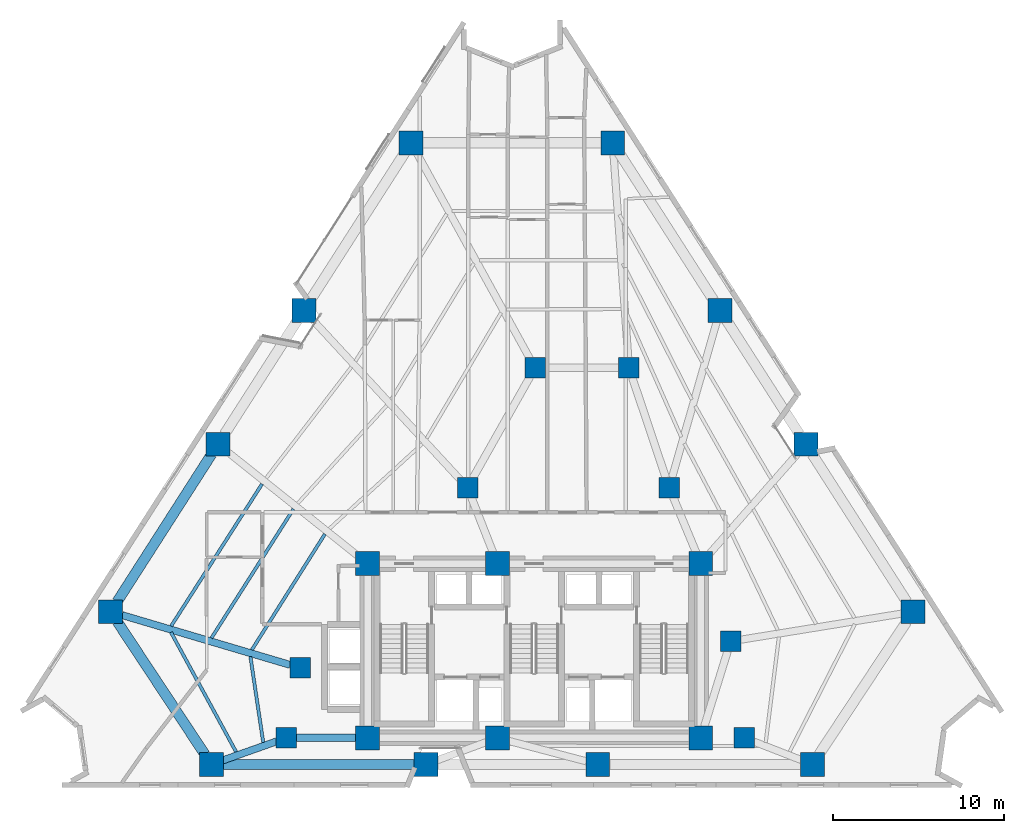
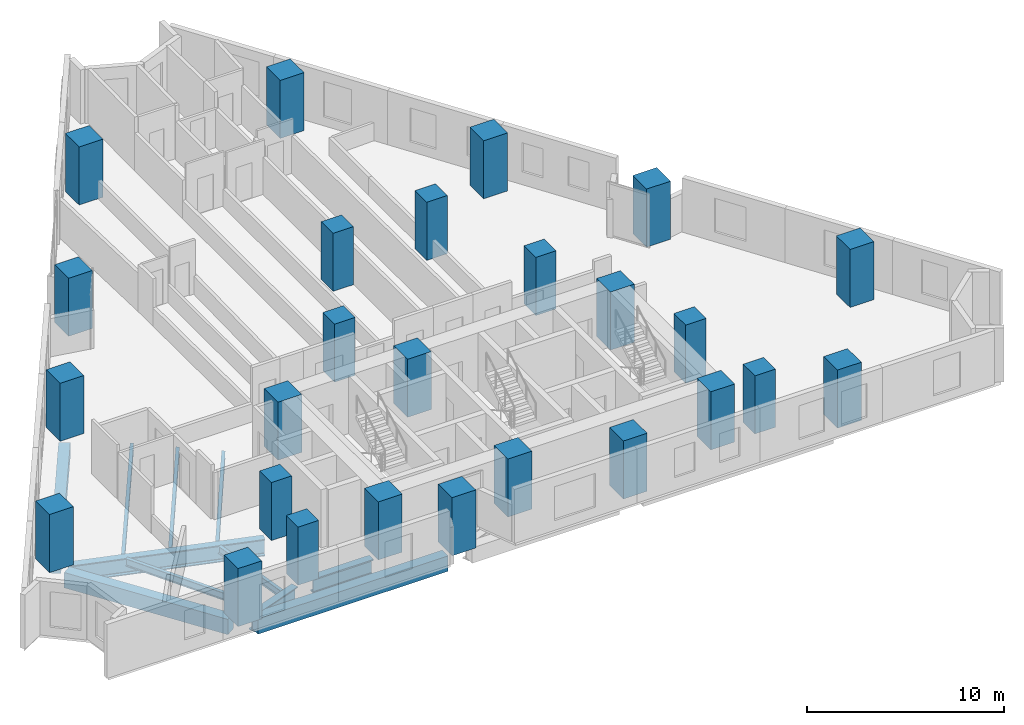
# One storey, part 1 of 13: 26 columns, 11 beams.
"""IFC4 building model written with IfcOpenShell, lengths in metres."""

from ifc_helpers import new_model, si_unit, direction, frame, origin, origin_2d, place, context, subcontext, project, spatial, rectangle, i_section, extrude, material, material_profile, profile_set, type_object, element, save


model = new_model("IFC4")

# Units and contexts
model_context = context("Model", 3, precision=1e-05, world=origin(), true_north=direction((0.0, 1.0)))
body_context = subcontext(model_context, "Body", "Model", "MODEL_VIEW")
ifc_project = project(units=[si_unit("LENGTHUNIT", "METRE"), si_unit("AREAUNIT", "SQUARE_METRE"), si_unit("VOLUMEUNIT", "CUBIC_METRE"), si_unit("PLANEANGLEUNIT", "RADIAN"), si_unit("MASSUNIT", "GRAM", prefix="KILO")], contexts=[model_context])

# Site, building, storey
site_placement = place(None, origin())
site = spatial("IfcSite", under=ifc_project, at=site_placement, CompositionType="ELEMENT")
building_placement = place(site_placement, origin())
building = spatial("IfcBuilding", under=site, at=building_placement, Name="Almagre Mirador Tower", CompositionType="ELEMENT")
storey_placement = place(building_placement, frame((0.0, 0.0, 49.800048828125)))
storey = spatial("IfcBuildingStorey", under=building, at=storey_placement, Name="L11", CompositionType="ELEMENT", Elevation=49.800048828125)

# Columns
ifc_material_1 = material(Name="Concrete C60/75", Category="concrete")
ifc_material_profile_1 = material_profile(ifc_material_1, rectangle(XDim=1.199951171875, YDim=1.199951171875, at=origin_2d()), Name="RC1200X1200")
ifc_profile_set_1 = profile_set([ifc_material_profile_1], Name="Concrete C60/75")
column_type_1 = type_object("IfcColumnType", Name="COL-RC1200", PredefinedType="COLUMN", material=ifc_profile_set_1)
for number, where, z_axis, x_axis, name in (
    (1, (22.800048828125, 4.550048828125, 0.0), (0.0, 0.0, 1.0), (1.0, 0.0, 0.0), "L11 interior transfer column MC1"),
    (2, (49.60009765625, 4.550048828125, 0.0), (0.0, 0.0, 1.0), (1.0, 0.0, 0.0), "L11 interior transfer column MC2"),
    (3, (48.800048828125, 10.199951171875, 0.0), (0.0, 0.0, 1.0), (1.0, 0.0, 0.0), "L11 interior transfer column MC3"),
    (4, (45.199951171875, 19.199951171875, 0.0), (0.0, 0.0, 1.0), (1.0, 0.0, 0.0), "L11 interior transfer column MC5"),
    (5, (42.85009765625, 26.199951171875, 0.0), (0.0, 0.0, 1.0), (1.0, 0.0, 0.0), "L11 interior transfer column MC6"),
    (6, (37.35009765625, 26.199951171875, 0.0), (0.0, 0.0, 1.0), (1.0, 0.0, 0.0), "L11 interior transfer column MC7"),
    (7, (33.39990234375, 19.199951171875, 0.0), (0.0, 0.0, 1.0), (1.0, 0.0, 0.0), "L11 interior transfer column MC8"),
    (8, (23.60009765625, 8.64990234375, 0.0), (0.0, 0.0, 1.0), (1.0, 0.0, 0.0), "L11 interior transfer column MC10"),
):
    element("IfcColumn", number, at=place(storey_placement, frame(where, z_axis=z_axis, x_axis=x_axis)), inside=storey, type_object=column_type_1, Name=name, PredefinedType="COLUMN", context=body_context, shape_type="SweptSolid", body=[
        extrude(rectangle(XDim=1.199951171875, YDim=1.199951171875, at=origin_2d()), origin(), (0.0, 0.0, 1.0), 3.599853515625),
    ])
ifc_material_2 = material(Name="Concrete C60/75", Category="concrete")
ifc_material_profile_2 = material_profile(ifc_material_2, rectangle(XDim=1.39990234375, YDim=1.39990234375, at=origin_2d()), Name="RC1400X1400")
ifc_profile_set_2 = profile_set([ifc_material_profile_2], Name="Concrete C60/75")
column_type_2 = type_object("IfcColumnType", Name="COL-RC1400", PredefinedType="COLUMN", material=ifc_profile_set_2)
for number, where, z_axis, x_axis, name in (
    (9, (27.550048828125, 4.550048828125, 0.0), (0.0, 0.0, 1.0), (1.0, 0.0, 0.0), "L11 core spine column CC1"),
    (10, (35.14990234375, 4.550048828125, 0.0), (0.0, 0.0, 1.0), (1.0, 0.0, 0.0), "L11 core spine column CC2"),
    (11, (47.050048828125, 4.550048828125, 0.0), (0.0, 0.0, 1.0), (1.0, 0.0, 0.0), "L11 core spine column CC3"),
    (12, (27.550048828125, 14.75, 0.0), (0.0, 0.0, 1.0), (1.0, 0.0, 0.0), "L11 core spine column CC4"),
    (13, (35.14990234375, 14.75, 0.0), (0.0, 0.0, 1.0), (1.0, 0.0, 0.0), "L11 core spine column CC5"),
    (14, (47.050048828125, 14.75, 0.0), (0.0, 0.0, 1.0), (1.0, 0.0, 0.0), "L11 core spine column CC6"),
    (15, (18.416015625, 3.0, 0.0), (0.0, 0.0, 1.0), (1.0, 0.0, 0.0), "L11 perimeter column PC01"),
    (16, (30.97607421875, 3.0, 0.0), (0.0, 0.0, 1.0), (1.0, 0.0, 0.0), "L11 perimeter column PC02"),
    (17, (41.02392578125, 3.0, 0.0), (0.0, 0.0, 1.0), (1.0, 0.0, 0.0), "L11 perimeter column PC03"),
    (18, (53.583984375, 3.0, 0.0), (0.0, 0.0, 1.0), (1.0, 0.0, 0.0), "L11 perimeter column PC04"),
    (19, (59.48193359375, 11.93310546875, 0.0), (0.0, 0.0, 1.0), (1.0, 0.0, 0.0), "L11 perimeter column PC05"),
    (20, (53.201904296875, 21.73291015625, 0.0), (0.0, 0.0, 1.0), (1.0, 0.0, 0.0), "L11 perimeter column PC06"),
    (21, (48.177978515625, 29.572998046875, 0.0), (0.0, 0.0, 1.0), (1.0, 0.0, 0.0), "L11 perimeter column PC07"),
    (22, (41.89794921875, 39.373046875, 0.0), (0.0, 0.0, 1.0), (1.0, 0.0, 0.0), "L11 perimeter column PC08"),
    (23, (30.10205078125, 39.373046875, 0.0), (0.0, 0.0, 1.0), (1.0, 0.0, 0.0), "L11 perimeter column PC09"),
    (24, (23.822021484375, 29.572998046875, 0.0), (0.0, 0.0, 1.0), (1.0, 0.0, 0.0), "L11 perimeter column PC10"),
    (25, (18.798095703125, 21.73291015625, 0.0), (0.0, 0.0, 1.0), (1.0, 0.0, 0.0), "L11 perimeter column PC11"),
    (26, (12.51806640625, 11.93310546875, 0.0), (0.0, 0.0, 1.0), (1.0, 0.0, 0.0), "L11 perimeter column PC12"),
):
    element("IfcColumn", number, at=place(storey_placement, frame(where, z_axis=z_axis, x_axis=x_axis)), inside=storey, type_object=column_type_2, Name=name, PredefinedType="COLUMN", context=body_context, shape_type="SweptSolid", body=[
        extrude(rectangle(XDim=1.39990234375, YDim=1.39990234375, at=origin_2d()), origin(), (0.0, 0.0, 1.0), 3.599853515625),
    ])

# Beams
ifc_material_3 = material(Name="Steel ASTM A992 Grade 50", Category="steel")
ifc_material_profile_3 = material_profile(ifc_material_3, i_section(OverallWidth=0.19091796875, OverallDepth=0.4599609375, WebThickness=0.010009765625, FlangeThickness=0.01611328125, FilletRadius=0.01611328125, at=origin_2d()), Name="W18X55")
ifc_profile_set_3 = profile_set([ifc_material_profile_3], Name="Steel ASTM A992 Grade 50")
beam_type_1 = type_object("IfcBeamType", Name="BM-JST-W18X55", PredefinedType="JOIST", material=ifc_profile_set_3)
beam_1_placement = place(storey_placement, frame((21.37646484375, 19.4091796875, -0.47998046875), z_axis=(-0.538986317029, -0.842314519675, 0.0), x_axis=(0.842314519675, -0.538986317029, 0.0)))
element("IfcBeam", 27, at=beam_1_placement, inside=storey, type_object=beam_type_1, Name="L11 secondary floor joist PC11-PC12.1", PredefinedType="JOIST", context=body_context, shape_type="SweptSolid", body=[
    extrude(i_section(OverallWidth=0.19091796875, OverallDepth=0.4599609375, WebThickness=0.010009765625, FlangeThickness=0.01611328125, FilletRadius=0.01611328125, at=origin_2d()), origin(), (0.0, 0.0, 1.0), 9.870849609375),
])
beam_2_placement = place(storey_placement, frame((23.214599609375, 17.9423828125, -0.47998046875), z_axis=(-0.536571630026, -0.843854777702, 0.0), x_axis=(0.843854777702, -0.536571630026, 0.0)))
element("IfcBeam", 28, at=beam_2_placement, inside=storey, type_object=beam_type_1, Name="L11 secondary floor joist PC11-PC12.2", PredefinedType="JOIST", context=body_context, shape_type="SweptSolid", body=[
    extrude(i_section(OverallWidth=0.19091796875, OverallDepth=0.4599609375, WebThickness=0.010009765625, FlangeThickness=0.01611328125, FilletRadius=0.01611328125, at=origin_2d()), origin(), (0.0, 0.0, 1.0), 8.943115234375),
])
beam_3_placement = place(storey_placement, frame((25.05322265625, 16.475830078125, -0.47998046875), z_axis=(-0.533635401408, -0.845714643579, 0.0), x_axis=(0.845714643579, -0.533635401408, 0.0)))
element("IfcBeam", 29, at=beam_3_placement, inside=storey, type_object=beam_type_1, Name="L11 secondary floor joist PC11-PC12.3", PredefinedType="JOIST", context=body_context, shape_type="SweptSolid", body=[
    extrude(i_section(OverallWidth=0.19091796875, OverallDepth=0.4599609375, WebThickness=0.010009765625, FlangeThickness=0.01611328125, FilletRadius=0.01611328125, at=origin_2d()), origin(), (0.0, 0.0, 1.0), 8.015380859375),
])
beam_4_placement = place(storey_placement, frame((16.04345703125, 10.734375, -0.47998046875), z_axis=(0.478472525454, -0.878102523846, 0.0), x_axis=(0.878102523846, 0.478472525454, 0.0)))
element("IfcBeam", 30, at=beam_4_placement, inside=storey, type_object=beam_type_1, Name="L11 secondary floor joist PC12-PC01.1", PredefinedType="JOIST", context=body_context, shape_type="SweptSolid", body=[
    extrude(i_section(OverallWidth=0.19091796875, OverallDepth=0.4599609375, WebThickness=0.010009765625, FlangeThickness=0.01611328125, FilletRadius=0.01611328125, at=origin_2d()), origin(), (0.0, 0.0, 1.0), 7.976806640625),
])
beam_5_placement = place(storey_placement, frame((20.695068359375, 9.3125, -0.47998046875), z_axis=(0.147717518236, -0.989029592483, 0.0), x_axis=(0.989029592483, 0.147717518236, 0.0)))
element("IfcBeam", 31, at=beam_5_placement, inside=storey, type_object=beam_type_1, Name="L11 secondary floor joist PC12-PC01.3", PredefinedType="JOIST", context=body_context, shape_type="SweptSolid", body=[
    extrude(i_section(OverallWidth=0.19091796875, OverallDepth=0.4599609375, WebThickness=0.010009765625, FlangeThickness=0.01611328125, FilletRadius=0.01611328125, at=origin_2d()), origin(), (0.0, 0.0, 1.0), 5.078857421875),
])
ifc_material_4 = material(Name="Precast concrete C50/60", Category="concrete")
ifc_material_profile_4 = material_profile(ifc_material_4, rectangle(XDim=0.60009765625, YDim=0.949951171875, at=origin_2d()), Name="RC600X950")
ifc_profile_set_4 = profile_set([ifc_material_profile_4], Name="Precast concrete C50/60")
beam_type_2 = type_object("IfcBeamType", Name="BM-SPN-RC600X950", PredefinedType="SPANDREL", material=ifc_profile_set_4)
beam_6_placement = place(storey_placement, frame((19.115966796875, 3.0, -0.72509765625), z_axis=(1.0, 0.0, 0.0), x_axis=(0.0, 1.0, 0.0)))
element("IfcBeam", 32, at=beam_6_placement, inside=storey, type_object=beam_type_2, Name="L11 perimeter spandrel beam PC01-PC02", PredefinedType="SPANDREL", context=body_context, shape_type="SweptSolid", body=[
    extrude(rectangle(XDim=0.60009765625, YDim=0.949951171875, at=origin_2d()), origin(), (0.0, 0.0, 1.0), 11.159912109375),
])
beam_7_placement = place(storey_placement, frame((18.42041015625, 21.1435546875, -0.72509765625), z_axis=(-0.539549548581, -0.841953849463, 0.0), x_axis=(0.841953849463, -0.539549548581, 0.0)))
element("IfcBeam", 33, at=beam_7_placement, inside=storey, type_object=beam_type_2, Name="L11 perimeter spandrel beam PC11-PC12", PredefinedType="SPANDREL", context=body_context, shape_type="SweptSolid", body=[
    extrude(rectangle(XDim=0.60009765625, YDim=0.949951171875, at=origin_2d()), origin(), (0.0, 0.0, 1.0), 10.239501953125),
])
beam_8_placement = place(storey_placement, frame((12.90380859375, 11.348876953125, -0.72509765625), z_axis=(0.550976725149, -0.834520609898, 0.0), x_axis=(0.834520609898, 0.550976725149, 0.0)))
element("IfcBeam", 34, at=beam_8_placement, inside=storey, type_object=beam_type_2, Name="L11 perimeter spandrel beam PC12-PC01", PredefinedType="SPANDREL", context=body_context, shape_type="SweptSolid", body=[
    extrude(rectangle(XDim=0.60009765625, YDim=0.949951171875, at=origin_2d()), origin(), (0.0, 0.0, 1.0), 9.304443359375),
])
ifc_material_5 = material(Name="Steel ASTM A992 Grade 50", Category="steel")
ifc_material_profile_5 = material_profile(ifc_material_5, i_section(OverallWidth=0.43701171875, OverallDepth=1.010986328125, WebThickness=0.041015625, FlangeThickness=0.073974609375, FilletRadius=0.028076171875, at=origin_2d()), Name="W36X529")
ifc_profile_set_5 = profile_set([ifc_material_profile_5], Name="Steel ASTM A992 Grade 50")
beam_type_3 = type_object("IfcBeamType", Name="BM-STL-W36X529", PredefinedType="BEAM", material=ifc_profile_set_5)
beam_9_placement = place(storey_placement, frame((23.39990234375, 4.550048828125, -0.755615234375), z_axis=(1.0, 0.0, 0.0), x_axis=(0.0, 1.0, 0.0)))
element("IfcBeam", 35, at=beam_9_placement, inside=storey, type_object=beam_type_3, Name="L11 core tie girder MC1-CC1", PredefinedType="BEAM", context=body_context, shape_type="SweptSolid", body=[
    extrude(i_section(OverallWidth=0.43701171875, OverallDepth=1.010986328125, WebThickness=0.041015625, FlangeThickness=0.073974609375, FilletRadius=0.028076171875, at=origin_2d()), origin(), (0.0, 0.0, 1.0), 3.4501953125),
])
ifc_material_6 = material(Name="Steel ASTM A913 Grade 65", Category="steel")
ifc_material_profile_6 = material_profile(ifc_material_6, i_section(OverallWidth=0.4189453125, OverallDepth=1.041015625, WebThickness=0.031005859375, FlangeThickness=0.055908203125, FilletRadius=0.030029296875, at=origin_2d()), Name="W40X397")
ifc_profile_set_6 = profile_set([ifc_material_profile_6], Name="Steel ASTM A913 Grade 65")
beam_type_4 = type_object("IfcBeamType", Name="BM-STL-W40X397", PredefinedType="BEAM", material=ifc_profile_set_6)
beam_10_placement = place(storey_placement, frame((19.075927734375, 3.2333984375, -0.7705078125), z_axis=(0.942807214234, 0.333338501809, 0.0), x_axis=(-0.333338501809, 0.942807214234, 0.0)))
element("IfcBeam", 36, at=beam_10_placement, inside=storey, type_object=beam_type_4, Name="L11 radial floor girder PC01-MC1", PredefinedType="BEAM", context=body_context, shape_type="SweptSolid", body=[
    extrude(i_section(OverallWidth=0.4189453125, OverallDepth=1.041015625, WebThickness=0.031005859375, FlangeThickness=0.055908203125, FilletRadius=0.030029296875, at=origin_2d()), origin(), (0.0, 0.0, 1.0), 3.35009765625),
])
beam_11_placement = place(storey_placement, frame((13.189208984375, 11.734130859375, -0.7705078125), z_axis=(0.958808436431, -0.284053484804, 0.0), x_axis=(0.284053484804, 0.958808436431, 0.0)))
element("IfcBeam", 37, at=beam_11_placement, inside=storey, type_object=beam_type_4, Name="L11 radial floor girder PC12-MC10", PredefinedType="BEAM", context=body_context, shape_type="SweptSolid", body=[
    extrude(i_section(OverallWidth=0.4189453125, OverallDepth=1.041015625, WebThickness=0.031005859375, FlangeThickness=0.055908203125, FilletRadius=0.030029296875, at=origin_2d()), origin(), (0.0, 0.0, 1.0), 10.258056640625),
])

save(model, "model.ifc")
